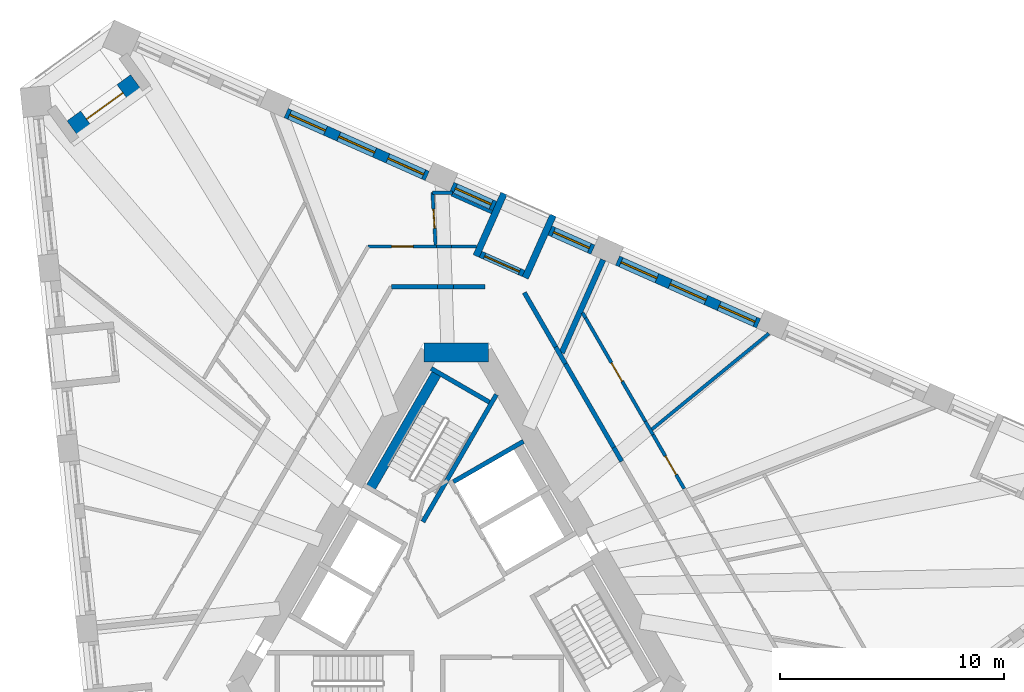
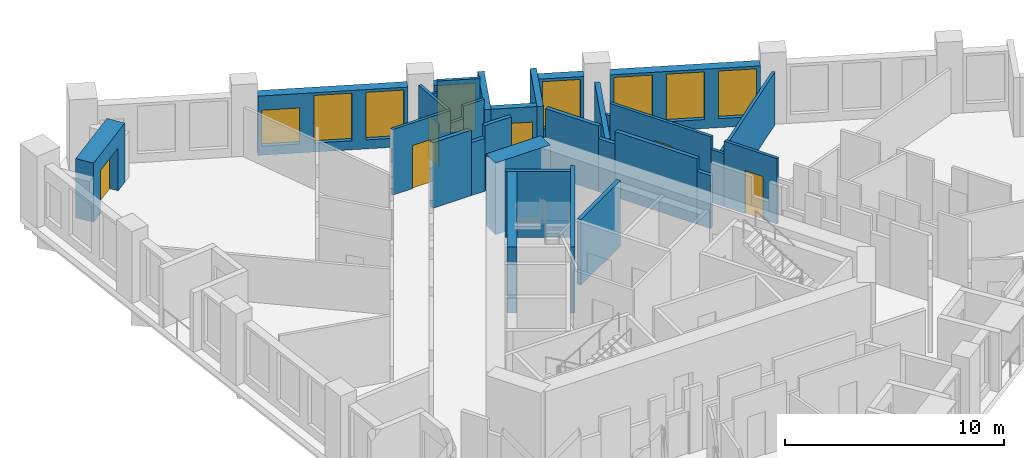
# One storey, part 8 of 14: 32 walls, 8 windows, 6 doors, 14 openings.
"""IFC4 building model written with IfcOpenShell, lengths in metres."""

from ifc_helpers import new_model, si_unit, direction, frame, frame_2d, origin, place, context, subcontext, project, spatial, rectangle, extrude, material, layer, layer_set, type_object, element, fill, save


model = new_model("IFC4")

# Units and contexts
model_context = context("Model", 3, precision=1e-05, world=origin(), true_north=direction((0.0, 1.0)))
body_context = subcontext(model_context, "Body", "Model", "MODEL_VIEW")
ifc_project = project(units=[si_unit("LENGTHUNIT", "METRE"), si_unit("AREAUNIT", "SQUARE_METRE"), si_unit("VOLUMEUNIT", "CUBIC_METRE"), si_unit("PLANEANGLEUNIT", "RADIAN"), si_unit("MASSUNIT", "GRAM", prefix="KILO")], contexts=[model_context])

# Site, building, storey
site_placement = place(None, origin())
site = spatial("IfcSite", under=ifc_project, at=site_placement, CompositionType="ELEMENT")
building_placement = place(site_placement, origin())
building = spatial("IfcBuilding", under=site, at=building_placement, Name="Tramontana Tower", CompositionType="ELEMENT")
storey_placement = place(building_placement, frame((0.0, 0.0, 170.800048828125)))
storey = spatial("IfcBuildingStorey", under=building, at=storey_placement, Name="L39", CompositionType="ELEMENT", Elevation=170.800048828125)

# Walls
ifc_material_1 = material(Name="Concrete 70 MPa", Category="concrete")
ifc_layer_1 = layer(ifc_material_1, 0.85009765625)
ifc_layer_set_1 = layer_set([ifc_layer_1], Name="Core wall 850 70 MPa")
wall_type_1 = type_object("IfcWallType", Name="Core wall 850 70 MPa", PredefinedType="SHEAR", material=ifc_layer_set_1)
wall_1_placement = place(storey_placement, frame((1.443359375, 10.574951171875, 0.0), z_axis=(0.0, 0.0, 1.0), x_axis=(-1.0, 0.0, 0.0)))
element("IfcWall", 1, at=wall_1_placement, inside=storey, type_object=wall_type_1, Name="Core wall C0 L39", PredefinedType="SHEAR", context=body_context, shape_type="SweptSolid", body=[
    extrude(rectangle(XDim=2.88671875, YDim=0.85009765625, at=frame_2d((1.443359375, 0.0))), origin(), (0.0, 0.0, 1.0), 4.0),
])
ifc_material_2 = material(Name="Blockwork", Category="masonry")
ifc_layer_2 = layer(ifc_material_2, 0.199951171875)
ifc_layer_set_2 = layer_set([ifc_layer_2], Name="ENTRY WALL 200")
wall_type_2 = type_object("IfcWallType", Name="ENTRY WALL 200", PredefinedType="SOLIDWALL", material=ifc_layer_set_2)
wall_2_placement = place(storey_placement, frame((3.034912109375, 13.243408203125, 0.0), z_axis=(0.0, 0.0, 1.0), x_axis=(0.499976698542, -0.86603885647, 0.0)))
element("IfcWall", 2, at=wall_2_placement, inside=storey, type_object=wall_type_2, Name="Wall v40-ew0-0", PredefinedType="SOLIDWALL", context=body_context, shape_type="SweptSolid", body=[
    extrude(rectangle(XDim=2.798583984375, YDim=0.199951171875, at=frame_2d((1.3994140625, 0.0))), origin(), (0.0, 0.0, 1.0), 3.64990234375),
])
wall_3_placement = place(storey_placement, frame((4.43408203125, 10.81982421875, 0.0), z_axis=(0.0, 0.0, 1.0), x_axis=(0.500023708017, -0.866011715522, 0.0)))
element("IfcWall", 3, at=wall_3_placement, inside=storey, type_object=wall_type_2, Name="Wall v40-ew0-1", PredefinedType="SOLIDWALL", context=body_context, shape_type="SweptSolid", body=[
    extrude(rectangle(XDim=0.865234375, YDim=0.199951171875, at=frame_2d((0.4326171875, 0.0))), origin(), (0.0, 0.0, 1.0), 2.949951171875),
])
wall_4_placement = place(storey_placement, frame((4.86669921875, 10.070556640625, 0.0), z_axis=(0.0, 0.0, 1.0), x_axis=(0.499992344383, -0.866029823712, 0.0)))
element("IfcWall", 4, at=wall_4_placement, inside=storey, type_object=wall_type_2, Name="Wall v40-ew0-2", PredefinedType="SOLIDWALL", context=body_context, shape_type="SweptSolid", body=[
    extrude(rectangle(XDim=4.306640625, YDim=0.199951171875, at=frame_2d((2.1533203125, 0.0))), origin(), (0.0, 0.0, 1.0), 3.64990234375),
])
wall_5_placement = place(storey_placement, frame((7.02001953125, 6.3408203125, 0.0), z_axis=(0.0, 0.0, 1.0), x_axis=(0.50012879774, -0.865951029603, 0.0)))
element("IfcWall", 5, at=wall_5_placement, inside=storey, type_object=wall_type_2, Name="Wall v40-ew0-3", PredefinedType="SOLIDWALL", context=body_context, shape_type="SweptSolid", body=[
    extrude(rectangle(XDim=0.710693359375, YDim=0.199951171875, at=frame_2d((0.35546875, 0.0))), origin(), (0.0, 0.0, 1.0), 2.949951171875),
])
wall_6_placement = place(storey_placement, frame((-2.88671875, 13.5, 0.0), z_axis=(0.0, 0.0, 1.0), x_axis=(1.0, 0.0, 0.0)))
element("IfcWall", 6, at=wall_6_placement, inside=storey, type_object=wall_type_2, Name="Wall v40-ew5-0", PredefinedType="SOLIDWALL", context=body_context, shape_type="SweptSolid", body=[
    extrude(rectangle(XDim=2.057861328125, YDim=0.199951171875, at=frame_2d((1.02880859375, 0.0))), origin(), (0.0, 0.0, 1.0), 3.64990234375),
])
wall_7_placement = place(storey_placement, frame((-0.828857421875, 13.5, 0.0), z_axis=(0.0, 0.0, 1.0), x_axis=(1.0, 0.0, 0.0)))
element("IfcWall", 7, at=wall_7_placement, inside=storey, type_object=wall_type_2, Name="Wall v40-ew5-1", PredefinedType="SOLIDWALL", context=body_context, shape_type="SweptSolid", body=[
    extrude(rectangle(XDim=0.700439453125, YDim=0.199951171875, at=frame_2d((0.35009765625, 0.0))), origin(), (0.0, 0.0, 1.0), 2.949951171875),
])
wall_8_placement = place(storey_placement, frame((-0.12841796875, 13.5, 0.0), z_axis=(0.0, 0.0, 1.0), x_axis=(1.0, 0.0, 0.0)))
element("IfcWall", 8, at=wall_8_placement, inside=storey, type_object=wall_type_2, Name="Wall v40-ew5-2", PredefinedType="SOLIDWALL", context=body_context, shape_type="SweptSolid", body=[
    extrude(rectangle(XDim=1.39990234375, YDim=0.199951171875, at=frame_2d((0.699951171875, 0.0))), origin(), (0.0, 0.0, 1.0), 3.64990234375),
])

# Wall, openings, windows
ifc_material_3 = material(Name="Precast concrete 60 MPa", Category="concrete")
ifc_layer_3 = layer(ifc_material_3, 0.449951171875)
ifc_layer_set_3 = layer_set([ifc_layer_3], Name="Precast concrete 60 MPa, 450 mm")
wall_type_3 = type_object("IfcWallType", Name="EW1 Stone-faced precast wall 450", PredefinedType="SOLIDWALL", material=ifc_layer_set_3)
wall_9_placement = place(storey_placement, frame((13.475830078125, 11.8701171875, 0.0), z_axis=(0.0, 0.0, 1.0), x_axis=(-0.913543675585, 0.40674064562, 0.0)))
wall_9 = element("IfcWall", 9, at=wall_9_placement, inside=storey, type_object=wall_type_3, Name="External wall L39 face 2 bay 3", PredefinedType="SOLIDWALL", context=body_context, shape_type="SweptSolid", body=[
    extrude(rectangle(XDim=6.8828125, YDim=0.449951171875, at=frame_2d((3.44140625, 0.0))), origin(), (0.0, 0.0, 1.0), 3.300048828125),
])
opening_1_placement = place(wall_9_placement, frame((0.172119140625, 0.0, 0.5)))
opening_1 = element("IfcOpeningElement", 10, at=opening_1_placement, cuts=wall_9, Name="Opening M2", PredefinedType="OPENING", context=body_context, shape_type="SweptSolid", body=[
    extrude(rectangle(XDim=1.75, YDim=2.64990234375, at=frame_2d((0.875, 1.324951171875))), frame((0.0, 0.23486328125, 0.0), z_axis=(0.0, -1.0, 0.0), x_axis=(1.0, 0.0, 0.0)), (0.0, 0.0, 1.0), 0.469970703125),
])
opening_2_placement = place(wall_9_placement, frame((2.56640625, 0.0, 0.5)))
opening_2 = element("IfcOpeningElement", 11, at=opening_2_placement, cuts=wall_9, Name="Opening M2", PredefinedType="OPENING", context=body_context, shape_type="SweptSolid", body=[
    extrude(rectangle(XDim=1.75, YDim=2.64990234375, at=frame_2d((0.875, 1.324951171875))), frame((0.0, 0.23486328125, 0.0), z_axis=(0.0, -1.0, 0.0), x_axis=(1.0, 0.0, 0.0)), (0.0, 0.0, 1.0), 0.469970703125),
])
opening_3_placement = place(wall_9_placement, frame((4.960693359375, 0.0, 0.5)))
opening_3 = element("IfcOpeningElement", 12, at=opening_3_placement, cuts=wall_9, Name="Opening M2", PredefinedType="OPENING", context=body_context, shape_type="SweptSolid", body=[
    extrude(rectangle(XDim=1.75, YDim=2.64990234375, at=frame_2d((0.875, 1.324951171875))), frame((0.0, 0.23486328125, 0.0), z_axis=(0.0, -1.0, 0.0), x_axis=(1.0, 0.0, 0.0)), (0.0, 0.0, 1.0), 0.469970703125),
])
ifc_material_4 = material(Name="Aluminum frame, double glazing unit", Category="aluminium")
window_type_1 = type_object("IfcWindowType", Name="M2 Window 1.75 x 2.65", PartitioningType="SINGLE_PANEL", PredefinedType="WINDOW", material=ifc_material_4)
window_1_placement = place(opening_1_placement, origin())
window_1 = element("IfcWindow", 13, at=window_1_placement, inside=storey, type_object=window_type_1, Name="Window M2 L39 face 2 module 7", OverallHeight=2.64990234375, OverallWidth=1.75, PartitioningType="SINGLE_PANEL", PredefinedType="WINDOW", context=body_context, shape_type="SweptSolid", body=[
    extrude(rectangle(XDim=1.75, YDim=2.64990234375, at=frame_2d((0.875, 1.324951171875))), frame((0.0, 0.030029296875, 0.0), z_axis=(0.0, -1.0, 0.0), x_axis=(1.0, 0.0, 0.0)), (0.0, 0.0, 1.0), 0.06005859375),
])
fill(opening_1, window_1)
window_2_placement = place(opening_2_placement, origin())
window_2 = element("IfcWindow", 14, at=window_2_placement, inside=storey, type_object=window_type_1, Name="Window M2 L39 face 2 module 8", OverallHeight=2.64990234375, OverallWidth=1.75, PartitioningType="SINGLE_PANEL", PredefinedType="WINDOW", context=body_context, shape_type="SweptSolid", body=[
    extrude(rectangle(XDim=1.75, YDim=2.64990234375, at=frame_2d((0.875, 1.324951171875))), frame((0.0, 0.030029296875, 0.0), z_axis=(0.0, -1.0, 0.0), x_axis=(1.0, 0.0, 0.0)), (0.0, 0.0, 1.0), 0.06005859375),
])
fill(opening_2, window_2)
window_3_placement = place(opening_3_placement, origin())
window_3 = element("IfcWindow", 15, at=window_3_placement, inside=storey, type_object=window_type_1, Name="Window M2 L39 face 2 module 9", OverallHeight=2.64990234375, OverallWidth=1.75, PartitioningType="SINGLE_PANEL", PredefinedType="WINDOW", context=body_context, shape_type="SweptSolid", body=[
    extrude(rectangle(XDim=1.75, YDim=2.64990234375, at=frame_2d((0.875, 1.324951171875))), frame((0.0, 0.030029296875, 0.0), z_axis=(0.0, -1.0, 0.0), x_axis=(1.0, 0.0, 0.0)), (0.0, 0.0, 1.0), 0.06005859375),
])
fill(opening_3, window_3)

# Wall, opening, window
wall_10_placement = place(storey_placement, frame((6.091796875, 15.15771484375, 0.0), z_axis=(0.0, 0.0, 1.0), x_axis=(-0.913537312596, 0.406754936657, 0.0)))
wall_10 = element("IfcWall", 16, at=wall_10_placement, inside=storey, type_object=wall_type_3, Name="External wall L39 face 2 bay 4", PredefinedType="SOLIDWALL", context=body_context, shape_type="SweptSolid", body=[
    extrude(rectangle(XDim=2.09423828125, YDim=0.449951171875, at=frame_2d((1.047119140625, 0.0))), origin(), (0.0, 0.0, 1.0), 3.300048828125),
])
opening_4_placement = place(wall_10_placement, frame((0.172119140625, 0.0, 0.5)))
opening_4 = element("IfcOpeningElement", 17, at=opening_4_placement, cuts=wall_10, Name="Opening M2", PredefinedType="OPENING", context=body_context, shape_type="SweptSolid", body=[
    extrude(rectangle(XDim=1.75, YDim=2.64990234375, at=frame_2d((0.875, 1.324951171875))), frame((0.0, 0.23486328125, 0.0), z_axis=(0.0, -1.0, 0.0), x_axis=(1.0, 0.0, 0.0)), (0.0, 0.0, 1.0), 0.469970703125),
])
window_4_placement = place(opening_4_placement, origin())
window_4 = element("IfcWindow", 18, at=window_4_placement, inside=storey, type_object=window_type_1, Name="Window M2 L39 face 2 module 10", OverallHeight=2.64990234375, OverallWidth=1.75, PartitioningType="SINGLE_PANEL", PredefinedType="WINDOW", context=body_context, shape_type="SweptSolid", body=[
    extrude(rectangle(XDim=1.75, YDim=2.64990234375, at=frame_2d((0.875, 1.324951171875))), frame((0.0, 0.030029296875, 0.0), z_axis=(0.0, -1.0, 0.0), x_axis=(1.0, 0.0, 0.0)), (0.0, 0.0, 1.0), 0.06005859375),
])
fill(opening_4, window_4)

wall_11_placement = place(storey_placement, frame((1.71728515625, 17.10546875, 0.0), z_axis=(0.0, 0.0, 1.0), x_axis=(-0.913556597974, 0.40671162056, 0.0)))
wall_11 = element("IfcWall", 19, at=wall_11_placement, inside=storey, type_object=wall_type_3, Name="External wall L39 face 2 bay 4", PredefinedType="SOLIDWALL", context=body_context, shape_type="SweptSolid", body=[
    extrude(rectangle(XDim=2.094482421875, YDim=0.449951171875, at=frame_2d((1.04736328125, 0.0))), origin(), (0.0, 0.0, 1.0), 3.300048828125),
])
opening_5_placement = place(wall_11_placement, frame((0.172119140625, 0.0, 0.5)))
opening_5 = element("IfcOpeningElement", 20, at=opening_5_placement, cuts=wall_11, Name="Opening M2", PredefinedType="OPENING", context=body_context, shape_type="SweptSolid", body=[
    extrude(rectangle(XDim=1.75, YDim=2.64990234375, at=frame_2d((0.875, 1.324951171875))), frame((0.0, 0.23486328125, 0.0), z_axis=(0.0, -1.0, 0.0), x_axis=(1.0, 0.0, 0.0)), (0.0, 0.0, 1.0), 0.469970703125),
])
window_5_placement = place(opening_5_placement, origin())
window_5 = element("IfcWindow", 21, at=window_5_placement, inside=storey, type_object=window_type_1, Name="Window M2 L39 face 2 module 12", OverallHeight=2.64990234375, OverallWidth=1.75, PartitioningType="SINGLE_PANEL", PredefinedType="WINDOW", context=body_context, shape_type="SweptSolid", body=[
    extrude(rectangle(XDim=1.75, YDim=2.64990234375, at=frame_2d((0.875, 1.324951171875))), frame((0.0, 0.030029296875, 0.0), z_axis=(0.0, -1.0, 0.0), x_axis=(1.0, 0.0, 0.0)), (0.0, 0.0, 1.0), 0.06005859375),
])
fill(opening_5, window_5)

# Wall, openings, windows
wall_12_placement = place(storey_placement, frame((-1.292236328125, 18.4453125, 0.0), z_axis=(0.0, 0.0, 1.0), x_axis=(-0.913543675585, 0.40674064562, 0.0)))
wall_12 = element("IfcWall", 22, at=wall_12_placement, inside=storey, type_object=wall_type_3, Name="External wall L39 face 2 bay 5", PredefinedType="SOLIDWALL", context=body_context, shape_type="SweptSolid", body=[
    extrude(rectangle(XDim=6.8828125, YDim=0.449951171875, at=frame_2d((3.44140625, 0.0))), origin(), (0.0, 0.0, 1.0), 3.300048828125),
])
opening_6_placement = place(wall_12_placement, frame((0.172119140625, 0.0, 0.5)))
opening_6 = element("IfcOpeningElement", 23, at=opening_6_placement, cuts=wall_12, Name="Opening M2", PredefinedType="OPENING", context=body_context, shape_type="SweptSolid", body=[
    extrude(rectangle(XDim=1.75, YDim=2.64990234375, at=frame_2d((0.875, 1.324951171875))), frame((0.0, 0.23486328125, 0.0), z_axis=(0.0, -1.0, 0.0), x_axis=(1.0, 0.0, 0.0)), (0.0, 0.0, 1.0), 0.469970703125),
])
opening_7_placement = place(wall_12_placement, frame((2.56640625, 0.0, 0.5)))
opening_7 = element("IfcOpeningElement", 24, at=opening_7_placement, cuts=wall_12, Name="Opening M2", PredefinedType="OPENING", context=body_context, shape_type="SweptSolid", body=[
    extrude(rectangle(XDim=1.75, YDim=2.64990234375, at=frame_2d((0.875, 1.324951171875))), frame((0.0, 0.23486328125, 0.0), z_axis=(0.0, -1.0, 0.0), x_axis=(1.0, 0.0, 0.0)), (0.0, 0.0, 1.0), 0.469970703125),
])
opening_8_placement = place(wall_12_placement, frame((4.960693359375, 0.0, 0.5)))
opening_8 = element("IfcOpeningElement", 25, at=opening_8_placement, cuts=wall_12, Name="Opening M2L", PredefinedType="OPENING", context=body_context, shape_type="SweptSolid", body=[
    extrude(rectangle(XDim=1.75, YDim=2.0, at=frame_2d((0.875, 1.0))), frame((0.0, 0.23486328125, 0.0), z_axis=(0.0, -1.0, 0.0), x_axis=(1.0, 0.0, 0.0)), (0.0, 0.0, 1.0), 0.469970703125),
])
window_6_placement = place(opening_6_placement, origin())
window_6 = element("IfcWindow", 26, at=window_6_placement, inside=storey, type_object=window_type_1, Name="Window M2 L39 face 2 module 13", OverallHeight=2.64990234375, OverallWidth=1.75, PartitioningType="SINGLE_PANEL", PredefinedType="WINDOW", context=body_context, shape_type="SweptSolid", body=[
    extrude(rectangle(XDim=1.75, YDim=2.64990234375, at=frame_2d((0.875, 1.324951171875))), frame((0.0, 0.030029296875, 0.0), z_axis=(0.0, -1.0, 0.0), x_axis=(1.0, 0.0, 0.0)), (0.0, 0.0, 1.0), 0.06005859375),
])
fill(opening_6, window_6)
window_7_placement = place(opening_7_placement, origin())
window_7 = element("IfcWindow", 27, at=window_7_placement, inside=storey, type_object=window_type_1, Name="Window M2 L39 face 2 module 14", OverallHeight=2.64990234375, OverallWidth=1.75, PartitioningType="SINGLE_PANEL", PredefinedType="WINDOW", context=body_context, shape_type="SweptSolid", body=[
    extrude(rectangle(XDim=1.75, YDim=2.64990234375, at=frame_2d((0.875, 1.324951171875))), frame((0.0, 0.030029296875, 0.0), z_axis=(0.0, -1.0, 0.0), x_axis=(1.0, 0.0, 0.0)), (0.0, 0.0, 1.0), 0.06005859375),
])
fill(opening_7, window_7)
ifc_material_5 = material(Name="Aluminum frame, double glazing unit", Category="aluminium")
window_type_2 = type_object("IfcWindowType", Name="M2L Window 1.75 x 2", PartitioningType="SINGLE_PANEL", PredefinedType="WINDOW", material=ifc_material_5)
window_8_placement = place(opening_8_placement, origin())
window_8 = element("IfcWindow", 28, at=window_8_placement, inside=storey, type_object=window_type_2, Name="Window M2L L39 face 2 module 15", OverallHeight=2.0, OverallWidth=1.75, PartitioningType="SINGLE_PANEL", PredefinedType="WINDOW", context=body_context, shape_type="SweptSolid", body=[
    extrude(rectangle(XDim=1.75, YDim=2.0, at=frame_2d((0.875, 1.0))), frame((0.0, 0.030029296875, 0.0), z_axis=(0.0, -1.0, 0.0), x_axis=(1.0, 0.0, 0.0)), (0.0, 0.0, 1.0), 0.06005859375),
])
fill(opening_8, window_8)

# Wall, opening, door
ifc_material_6 = material(Name="Precast concrete 60 MPa", Category="concrete")
ifc_layer_4 = layer(ifc_material_6, 0.89990234375)
ifc_layer_set_4 = layer_set([ifc_layer_4], Name="EW2 Stone-faced corner loggia wall 900")
wall_type_4 = type_object("IfcWallType", Name="EW2 Stone-faced corner loggia wall 900", PredefinedType="SOLIDWALL", material=ifc_layer_set_4)
wall_13_placement = place(storey_placement, frame((-17.080322265625, 20.53173828125, 0.0), z_axis=(0.0, 0.0, 1.0), x_axis=(0.809031597325, 0.587765152531, 0.0)))
wall_13 = element("IfcWall", 29, at=wall_13_placement, inside=storey, type_object=wall_type_4, Name="Corner loggia wall L39 K40", PredefinedType="SOLIDWALL", context=body_context, shape_type="SweptSolid", body=[
    extrude(rectangle(XDim=3.5, YDim=0.89990234375, at=frame_2d((1.75, 0.0))), origin(), (0.0, 0.0, 1.0), 3.300048828125),
])
opening_9_placement = place(wall_13_placement, frame((0.75, 0.0, 0.0)))
opening_9 = element("IfcOpeningElement", 30, at=opening_9_placement, cuts=wall_13, Name="Opening BD-40C", PredefinedType="OPENING", context=body_context, shape_type="SweptSolid", body=[
    extrude(rectangle(XDim=2.0, YDim=2.39990234375, at=frame_2d((1.0, 1.199951171875))), frame((0.0, 0.4599609375, 0.0), z_axis=(0.0, -1.0, 0.0), x_axis=(1.0, 0.0, 0.0)), (0.0, 0.0, 1.0), 0.919921875),
])
ifc_material_7 = material(Name="Aluminum frame, double glazing unit", Category="aluminium")
door_type_1 = type_object("IfcDoorType", Name="BC1 Sliding door 2 x 2.4", OperationType="SLIDING_TO_LEFT", PredefinedType="DOOR", material=ifc_material_7)
door_1_placement = place(opening_9_placement, origin())
door_1 = element("IfcDoor", 31, at=door_1_placement, inside=storey, type_object=door_type_1, Name="Corner loggia door L39 K40", OperationType="SLIDING_TO_LEFT", OverallHeight=2.39990234375, OverallWidth=2.0, PredefinedType="DOOR", context=body_context, shape_type="SweptSolid", body=[
    extrude(rectangle(XDim=2.0, YDim=2.39990234375, at=frame_2d((1.0, 1.199951171875))), frame((0.0, 0.02490234375, 0.0), z_axis=(0.0, -1.0, 0.0), x_axis=(1.0, 0.0, 0.0)), (0.0, 0.0, 1.0), 0.050048828125),
])
fill(opening_9, door_1)

ifc_material_8 = material(Name="Precast concrete 60 MPa", Category="concrete")
ifc_layer_5 = layer(ifc_material_8, 0.300048828125)
ifc_layer_set_5 = layer_set([ifc_layer_5], Name="LW1 Stone-faced loggia wall 300")
wall_type_5 = type_object("IfcWallType", Name="LW1 Stone-faced loggia wall 300", PredefinedType="SOLIDWALL", material=ifc_layer_set_5)
wall_14_placement = place(storey_placement, frame((2.99951171875, 14.098876953125, 0.0), z_axis=(0.0, 0.0, 1.0), x_axis=(-0.913537312596, 0.406754936657, 0.0)))
wall_14 = element("IfcWall", 32, at=wall_14_placement, inside=storey, type_object=wall_type_5, Name="Loggia wall L39 G4S2.10", PredefinedType="SOLIDWALL", context=body_context, shape_type="SweptSolid", body=[
    extrude(rectangle(XDim=2.09423828125, YDim=0.300048828125, at=frame_2d((1.047119140625, 0.0))), origin(), (0.0, 0.0, 1.0), 3.300048828125),
])
opening_10_placement = place(wall_14_placement, frame((0.197265625, 0.0, 0.0)))
opening_10 = element("IfcOpeningElement", 33, at=opening_10_placement, cuts=wall_14, Name="Opening BD-4S2-10", PredefinedType="OPENING", context=body_context, shape_type="SweptSolid", body=[
    extrude(rectangle(XDim=1.699951171875, YDim=2.449951171875, at=frame_2d((0.85009765625, 1.22509765625))), frame((0.0, 0.159912109375, 0.0), z_axis=(0.0, -1.0, 0.0), x_axis=(1.0, 0.0, 0.0)), (0.0, 0.0, 1.0), 0.320068359375),
])
ifc_material_9 = material(Name="Aluminum frame, double glazing unit", Category="aluminium")
door_type_2 = type_object("IfcDoorType", Name="BD2 Sliding door 1.7 x 2.45", OperationType="SLIDING_TO_LEFT", PredefinedType="DOOR", material=ifc_material_9)
door_2_placement = place(opening_10_placement, origin())
door_2 = element("IfcDoor", 34, at=door_2_placement, inside=storey, type_object=door_type_2, Name="Loggia door L39 G4S2.10", OperationType="SLIDING_TO_LEFT", OverallHeight=2.449951171875, OverallWidth=1.699951171875, PredefinedType="DOOR", context=body_context, shape_type="SweptSolid", body=[
    extrude(rectangle(XDim=1.699951171875, YDim=2.449951171875, at=frame_2d((0.85009765625, 1.22509765625))), frame((0.0, 0.02490234375, 0.0), z_axis=(0.0, -1.0, 0.0), x_axis=(1.0, 0.0, 0.0)), (0.0, 0.0, 1.0), 0.050048828125),
])
fill(opening_10, door_2)

# Walls
wall_15_placement = place(storey_placement, frame((4.316162109375, 16.687255859375, 0.0), z_axis=(0.0, 0.0, 1.0), x_axis=(-0.406710256677, -0.913557205168, 0.0)))
element("IfcWall", 35, at=wall_15_placement, inside=storey, type_object=wall_type_5, Name="Loggia return L39 G4S2.10a", PredefinedType="SOLIDWALL", context=body_context, shape_type="SweptSolid", body=[
    extrude(rectangle(XDim=3.050048828125, YDim=0.300048828125, at=frame_2d((1.52490234375, 0.0))), origin(), (0.0, 0.0, 1.0), 3.300048828125),
])
wall_16_placement = place(storey_placement, frame((2.12890625, 17.660888671875, 0.0), z_axis=(0.0, 0.0, 1.0), x_axis=(-0.406806804169, -0.913514216683, 0.0)))
element("IfcWall", 36, at=wall_16_placement, inside=storey, type_object=wall_type_5, Name="Loggia return L39 G4S2.10b", PredefinedType="SOLIDWALL", context=body_context, shape_type="SweptSolid", body=[
    extrude(rectangle(XDim=3.0498046875, YDim=0.300048828125, at=frame_2d((1.52490234375, 0.0))), origin(), (0.0, 0.0, 1.0), 3.300048828125),
])

# Wall, opening, door
ifc_material_10 = material(Name="Gypsum board partition")
ifc_layer_6 = layer(ifc_material_10, 0.14990234375)
ifc_layer_set_6 = layer_set([ifc_layer_6], Name="PARTITION 150")
wall_type_6 = type_object("IfcWallType", Name="PARTITION 150", PredefinedType="PARTITIONING", material=ifc_layer_set_6)
wall_17_placement = place(storey_placement, frame((-3.926025390625, 15.300048828125, 0.0), z_axis=(0.0, 0.0, 1.0), x_axis=(1.0, 0.0, 0.0)))
wall_17 = element("IfcWall", 37, at=wall_17_placement, inside=storey, type_object=wall_type_6, Name="Wall v40-pw16-0", PredefinedType="PARTITIONING", context=body_context, shape_type="SweptSolid", body=[
    extrude(rectangle(XDim=3.0458984375, YDim=0.14990234375, at=frame_2d((1.52294921875, 0.0))), origin(), (0.0, 0.0, 1.0), 3.64990234375),
])
opening_11_placement = place(wall_17_placement, frame((1.052001953125, 0.0, 0.0)))
opening_11 = element("IfcOpeningElement", 38, at=opening_11_placement, cuts=wall_17, Name="Opening B4A-04", PredefinedType="OPENING", context=body_context, shape_type="SweptSolid", body=[
    extrude(rectangle(XDim=0.949951171875, YDim=2.39990234375, at=frame_2d((0.47509765625, 1.199951171875))), frame((0.0, 0.0849609375, 0.0), z_axis=(0.0, -1.0, 0.0), x_axis=(1.0, 0.0, 0.0)), (0.0, 0.0, 1.0), 0.169921875),
])
ifc_material_11 = material(Name="Painted timber", Category="wood")
door_type_3 = type_object("IfcDoorType", Name="DOOR ROOM 950", OperationType="SINGLE_SWING_LEFT", PredefinedType="DOOR", material=ifc_material_11)
door_3_placement = place(opening_11_placement, origin())
door_3 = element("IfcDoor", 39, at=door_3_placement, inside=storey, type_object=door_type_3, Name="Door B4A-04", OperationType="SINGLE_SWING_RIGHT", OverallHeight=2.39990234375, OverallWidth=0.949951171875, PredefinedType="DOOR", context=body_context, shape_type="SweptSolid", body=[
    extrude(rectangle(XDim=0.949951171875, YDim=2.39990234375, at=frame_2d((0.47509765625, 1.199951171875))), frame((0.0, 0.02490234375, 0.0), z_axis=(0.0, -1.0, 0.0), x_axis=(1.0, 0.0, 0.0)), (0.0, 0.0, 1.0), 0.050048828125),
])
fill(opening_11, door_3)

# Walls
wall_18_placement = place(storey_placement, frame((-0.880126953125, 15.300048828125, 0.0), z_axis=(0.0, 0.0, 1.0), x_axis=(1.0, 0.0, 0.0)))
element("IfcWall", 40, at=wall_18_placement, inside=storey, type_object=wall_type_6, Name="Wall v40-pw16-1", PredefinedType="PARTITIONING", context=body_context, shape_type="SweptSolid", body=[
    extrude(rectangle(XDim=0.67529296875, YDim=0.14990234375, at=frame_2d((0.337646484375, 0.0))), origin(), (0.0, 0.0, 1.0), 2.949951171875),
])
wall_19_placement = place(storey_placement, frame((-0.204833984375, 15.300048828125, 0.0), z_axis=(0.0, 0.0, 1.0), x_axis=(1.0, 0.0, 0.0)))
element("IfcWall", 41, at=wall_19_placement, inside=storey, type_object=wall_type_6, Name="Wall v40-pw16-2", PredefinedType="PARTITIONING", context=body_context, shape_type="SweptSolid", body=[
    extrude(rectangle(XDim=1.1181640625, YDim=0.14990234375, at=frame_2d((0.55908203125, 0.0))), origin(), (0.0, 0.0, 1.0), 3.64990234375),
])
wall_20_placement = place(storey_placement, frame((-1.05859375, 17.699951171875, 0.0), z_axis=(0.0, 0.0, 1.0), x_axis=(1.0, 0.0, 0.0)))
element("IfcWall", 42, at=wall_20_placement, inside=storey, type_object=wall_type_6, Name="Wall v40-pw20-0", PredefinedType="PARTITIONING", context=body_context, shape_type="SweptSolid", body=[
    extrude(rectangle(XDim=0.88720703125, YDim=0.14990234375, at=frame_2d((0.443603515625, 0.0))), origin(), (0.0, 0.0, 1.0), 2.949951171875),
])

# Wall, opening, door
wall_21_placement = place(storey_placement, frame((-1.05859375, 17.699951171875, 0.0), z_axis=(0.0, 0.0, 1.0), x_axis=(0.059643707448, -0.998219729399, 0.0)))
wall_21 = element("IfcWall", 43, at=wall_21_placement, inside=storey, type_object=wall_type_6, Name="Wall v40-pw21", PredefinedType="PARTITIONING", context=body_context, shape_type="SweptSolid", body=[
    extrude(rectangle(XDim=2.3291015625, YDim=0.14990234375, at=frame_2d((1.16455078125, 0.0))), origin(), (0.0, 0.0, 1.0), 3.64990234375),
])
opening_12_placement = place(wall_21_placement, frame((0.739501953125, 0.0, 0.0)))
opening_12 = element("IfcOpeningElement", 44, at=opening_12_placement, cuts=wall_21, Name="Opening B4A-07", PredefinedType="OPENING", context=body_context, shape_type="SweptSolid", body=[
    extrude(rectangle(XDim=0.85009765625, YDim=2.39990234375, at=frame_2d((0.425048828125, 1.199951171875))), frame((0.0, 0.0849609375, 0.0), z_axis=(0.0, -1.0, 0.0), x_axis=(1.0, 0.0, 0.0)), (0.0, 0.0, 1.0), 0.169921875),
])
ifc_material_12 = material(Name="Painted timber", Category="wood")
door_type_4 = type_object("IfcDoorType", Name="DOOR BATH 850", OperationType="SINGLE_SWING_LEFT", PredefinedType="DOOR", material=ifc_material_12)
door_4_placement = place(opening_12_placement, origin())
door_4 = element("IfcDoor", 45, at=door_4_placement, inside=storey, type_object=door_type_4, Name="Door B4A-07", OperationType="SINGLE_SWING_LEFT", OverallHeight=2.39990234375, OverallWidth=0.85009765625, PredefinedType="DOOR", context=body_context, shape_type="SweptSolid", body=[
    extrude(rectangle(XDim=0.85009765625, YDim=2.39990234375, at=frame_2d((0.425048828125, 1.199951171875))), frame((0.0, 0.02490234375, 0.0), z_axis=(0.0, -1.0, 0.0), x_axis=(1.0, 0.0, 0.0)), (0.0, 0.0, 1.0), 0.050048828125),
])
fill(opening_12, door_4)

# Walls
wall_22_placement = place(storey_placement, frame((-0.2060546875, 17.622314453125, 0.0), z_axis=(0.0, 0.0, 1.0), x_axis=(0.91356059905, -0.406702633214, 0.0)))
element("IfcWall", 46, at=wall_22_placement, inside=storey, type_object=wall_type_6, Name="Wall v40-pw22", PredefinedType="PARTITIONING", context=body_context, shape_type="SweptSolid", body=[
    extrude(rectangle(XDim=1.967041015625, YDim=0.14990234375, at=frame_2d((0.9833984375, 0.0))), origin(), (0.0, 0.0, 1.0), 3.64990234375),
])
wall_23_placement = place(storey_placement, frame((5.6328125, 12.34375, 0.0), z_axis=(0.0, 0.0, 1.0), x_axis=(0.4996419034, -0.866232052263, 0.0)))
element("IfcWall", 47, at=wall_23_placement, inside=storey, type_object=wall_type_6, Name="Wall v40-pw24-0", PredefinedType="PARTITIONING", context=body_context, shape_type="SweptSolid", body=[
    extrude(rectangle(XDim=0.262451171875, YDim=0.14990234375, at=frame_2d((0.13134765625, 0.0))), origin(), (0.0, 0.0, 1.0), 2.949951171875),
])

# Wall, opening, door
wall_24_placement = place(storey_placement, frame((5.763916015625, 12.116455078125, 0.0), z_axis=(0.0, 0.0, 1.0), x_axis=(0.500004172341, -0.866022994869, 0.0)))
wall_24 = element("IfcWall", 48, at=wall_24_placement, inside=storey, type_object=wall_type_6, Name="Wall v40-pw24-1", PredefinedType="PARTITIONING", context=body_context, shape_type="SweptSolid", body=[
    extrude(rectangle(XDim=5.326171875, YDim=0.14990234375, at=frame_2d((2.6630859375, 0.0))), origin(), (0.0, 0.0, 1.0), 3.64990234375),
])
opening_13_placement = place(wall_24_placement, frame((2.31201171875, 0.0, 0.0)))
opening_13 = element("IfcOpeningElement", 49, at=opening_13_placement, cuts=wall_24, Name="Opening B4A-19", PredefinedType="OPENING", context=body_context, shape_type="SweptSolid", body=[
    extrude(rectangle(XDim=0.949951171875, YDim=2.39990234375, at=frame_2d((0.47509765625, 1.199951171875))), frame((0.0, 0.0849609375, 0.0), z_axis=(0.0, -1.0, 0.0), x_axis=(1.0, 0.0, 0.0)), (0.0, 0.0, 1.0), 0.169921875),
])
door_5_placement = place(opening_13_placement, origin())
door_5 = element("IfcDoor", 50, at=door_5_placement, inside=storey, type_object=door_type_3, Name="Door B4A-19", OperationType="SINGLE_SWING_LEFT", OverallHeight=2.39990234375, OverallWidth=0.949951171875, PredefinedType="DOOR", context=body_context, shape_type="SweptSolid", body=[
    extrude(rectangle(XDim=0.949951171875, YDim=2.39990234375, at=frame_2d((0.47509765625, 1.199951171875))), frame((0.0, 0.02490234375, 0.0), z_axis=(0.0, -1.0, 0.0), x_axis=(1.0, 0.0, 0.0)), (0.0, 0.0, 1.0), 0.050048828125),
])
fill(opening_13, door_5)

# Wall
wall_25_placement = place(storey_placement, frame((8.427001953125, 7.50390625, 0.0), z_axis=(0.0, 0.0, 1.0), x_axis=(0.50012328804, -0.865954211699, 0.0)))
element("IfcWall", 51, at=wall_25_placement, inside=storey, type_object=wall_type_6, Name="Wall v40-pw24-2", PredefinedType="PARTITIONING", context=body_context, shape_type="SweptSolid", body=[
    extrude(rectangle(XDim=0.685302734375, YDim=0.14990234375, at=frame_2d((0.3427734375, 0.0))), origin(), (0.0, 0.0, 1.0), 2.949951171875),
])

# Wall, opening, door
wall_26_placement = place(storey_placement, frame((8.769775390625, 6.910400390625, 0.0), z_axis=(0.0, 0.0, 1.0), x_axis=(0.50000932403, -0.866020020486, 0.0)))
wall_26 = element("IfcWall", 52, at=wall_26_placement, inside=storey, type_object=wall_type_6, Name="Wall v40-pw24-3", PredefinedType="PARTITIONING", context=body_context, shape_type="SweptSolid", body=[
    extrude(rectangle(XDim=2.77490234375, YDim=0.14990234375, at=frame_2d((1.387451171875, 0.0))), origin(), (0.0, 0.0, 1.0), 3.64990234375),
])
opening_14_placement = place(wall_26_placement, frame((1.1025390625, 0.0, 0.0)))
opening_14 = element("IfcOpeningElement", 53, at=opening_14_placement, cuts=wall_26, Name="Opening B4A-18", PredefinedType="OPENING", context=body_context, shape_type="SweptSolid", body=[
    extrude(rectangle(XDim=0.949951171875, YDim=2.39990234375, at=frame_2d((0.47509765625, 1.199951171875))), frame((0.0, 0.0849609375, 0.0), z_axis=(0.0, -1.0, 0.0), x_axis=(1.0, 0.0, 0.0)), (0.0, 0.0, 1.0), 0.169921875),
])
door_6_placement = place(opening_14_placement, origin())
door_6 = element("IfcDoor", 54, at=door_6_placement, inside=storey, type_object=door_type_3, Name="Door B4A-18", OperationType="SINGLE_SWING_RIGHT", OverallHeight=2.39990234375, OverallWidth=0.949951171875, PredefinedType="DOOR", context=body_context, shape_type="SweptSolid", body=[
    extrude(rectangle(XDim=0.949951171875, YDim=2.39990234375, at=frame_2d((0.47509765625, 1.199951171875))), frame((0.0, 0.02490234375, 0.0), z_axis=(0.0, -1.0, 0.0), x_axis=(1.0, 0.0, 0.0)), (0.0, 0.0, 1.0), 0.050048828125),
])
fill(opening_14, door_6)

# Walls
wall_27_placement = place(storey_placement, frame((8.719482421875, 7.1474609375, 0.0), z_axis=(0.0, 0.0, 1.0), x_axis=(0.77340025594, 0.633918010559, 0.0)))
element("IfcWall", 55, at=wall_27_placement, inside=storey, type_object=wall_type_6, Name="Wall v40-pw28-0", PredefinedType="PARTITIONING", context=body_context, shape_type="SweptSolid", body=[
    extrude(rectangle(XDim=6.740478515625, YDim=0.14990234375, at=frame_2d((3.3701171875, 0.0))), origin(), (0.0, 0.0, 1.0), 2.949951171875),
])
ifc_material_13 = material(Name="Blockwork", Category="masonry")
ifc_layer_7 = layer(ifc_material_13, 0.25)
ifc_layer_set_7 = layer_set([ifc_layer_7], Name="PARTY WALL 250")
wall_type_7 = type_object("IfcWallType", Name="PARTY WALL 250", PredefinedType="SOLIDWALL", material=ifc_layer_set_7)
wall_28_placement = place(storey_placement, frame((6.54833984375, 14.7080078125, 0.0), z_axis=(0.0, 0.0, 1.0), x_axis=(-0.406736768984, -0.913545401585, 0.0)))
element("IfcWall", 56, at=wall_28_placement, inside=storey, type_object=wall_type_7, Name="Wall v40-pw25-0", PredefinedType="SOLIDWALL", context=body_context, shape_type="SweptSolid", body=[
    extrude(rectangle(XDim=4.542724609375, YDim=0.25, at=frame_2d((2.271484375, 0.0))), origin(), (0.0, 0.0, 1.0), 2.949951171875),
])
ifc_material_14 = material(Name="Concrete 70 MPa", Category="concrete")
ifc_layer_8 = layer(ifc_material_14, 0.449951171875)
ifc_layer_set_8 = layer_set([ifc_layer_8], Name="Concrete 70 MPa, 450 mm")
wall_type_8 = type_object("IfcWallType", Name="RC SHAFT BACK WALL 450", PredefinedType="SOLIDWALL", material=ifc_layer_set_8)
wall_29_placement = place(storey_placement, frame((-0.7880859375, 9.784912109375, 0.0), z_axis=(0.0, 0.0, 1.0), x_axis=(-0.500009909098, -0.866019682689, 0.0)))
element("IfcWall", 57, at=wall_29_placement, inside=storey, type_object=wall_type_8, Name="Wall st1-back", PredefinedType="SOLIDWALL", context=body_context, shape_type="SweptSolid", body=[
    extrude(rectangle(XDim=6.199951171875, YDim=0.449951171875, at=frame_2d((3.10009765625, 0.0))), origin(), (0.0, 0.0, 1.0), 3.64990234375),
])
ifc_material_15 = material(Name="Concrete 70 MPa", Category="concrete")
ifc_layer_9 = layer(ifc_material_15, 0.199951171875)
ifc_layer_set_9 = layer_set([ifc_layer_9], Name="Concrete 70 MPa, 200 mm")
wall_type_9 = type_object("IfcWallType", Name="RC STAIR AND SHAFT WALL 200", PredefinedType="SOLIDWALL", material=ifc_layer_set_9)
wall_30_placement = place(storey_placement, frame((1.789794921875, 8.699951171875, 0.0), z_axis=(0.0, 0.0, 1.0), x_axis=(-0.499999959354, -0.866025427251, 0.0)))
element("IfcWall", 58, at=wall_30_placement, inside=storey, type_object=wall_type_9, Name="Wall st1-front", PredefinedType="SOLIDWALL", context=body_context, shape_type="SweptSolid", body=[
    extrude(rectangle(XDim=6.54931640625, YDim=0.199951171875, at=frame_2d((3.274658203125, 0.0))), origin(), (0.0, 0.0, 1.0), 3.64990234375),
])
wall_31_placement = place(storey_placement, frame((1.478515625, 8.36083984375, 0.0), z_axis=(0.0, 0.0, 1.0), x_axis=(-0.866031096941, 0.499990139034, 0.0)))
element("IfcWall", 59, at=wall_31_placement, inside=storey, type_object=wall_type_9, Name="Wall st1-far", PredefinedType="SOLIDWALL", context=body_context, shape_type="SweptSolid", body=[
    extrude(rectangle(XDim=3.0, YDim=0.199951171875, at=frame_2d((1.5, 0.0))), origin(), (0.0, 0.0, 1.0), 3.64990234375),
])
wall_32_placement = place(storey_placement, frame((-0.123046875, 4.813232421875, 0.0), z_axis=(0.0, 0.0, 1.0), x_axis=(0.866018442252, 0.500012057535, 0.0)))
element("IfcWall", 60, at=wall_32_placement, inside=storey, type_object=wall_type_9, Name="Wall row2-side2", PredefinedType="SOLIDWALL", context=body_context, shape_type="SweptSolid", body=[
    extrude(rectangle(XDim=3.60009765625, YDim=0.199951171875, at=frame_2d((1.800048828125, 0.0))), origin(), (0.0, 0.0, 1.0), 3.64990234375),
])

save(model, "model.ifc")
